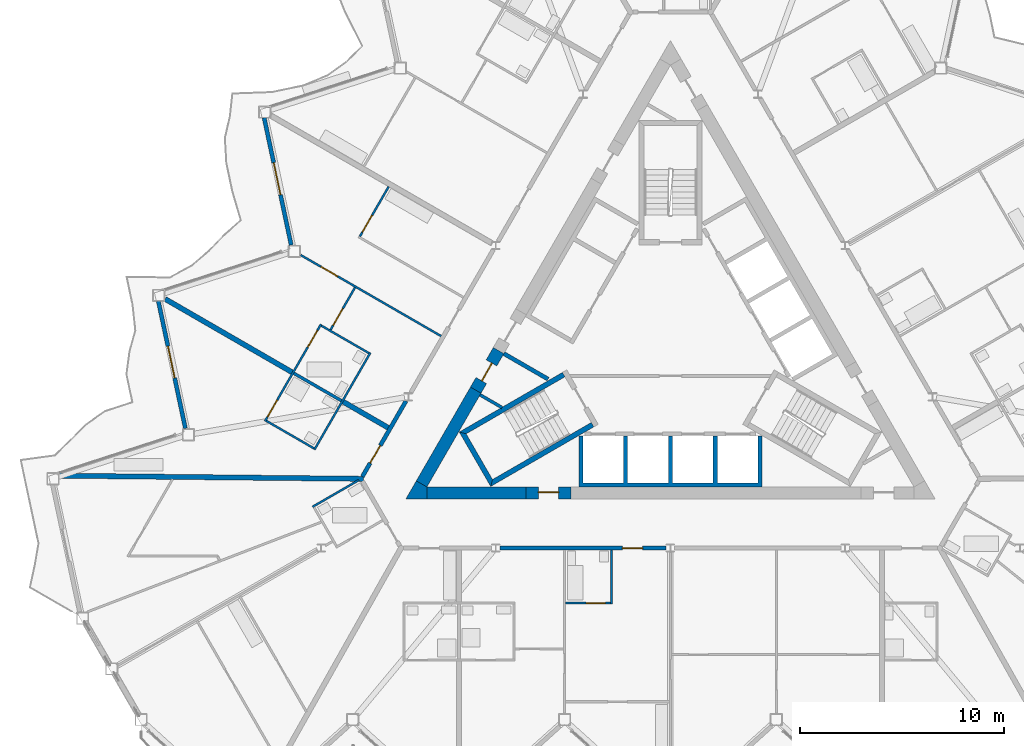
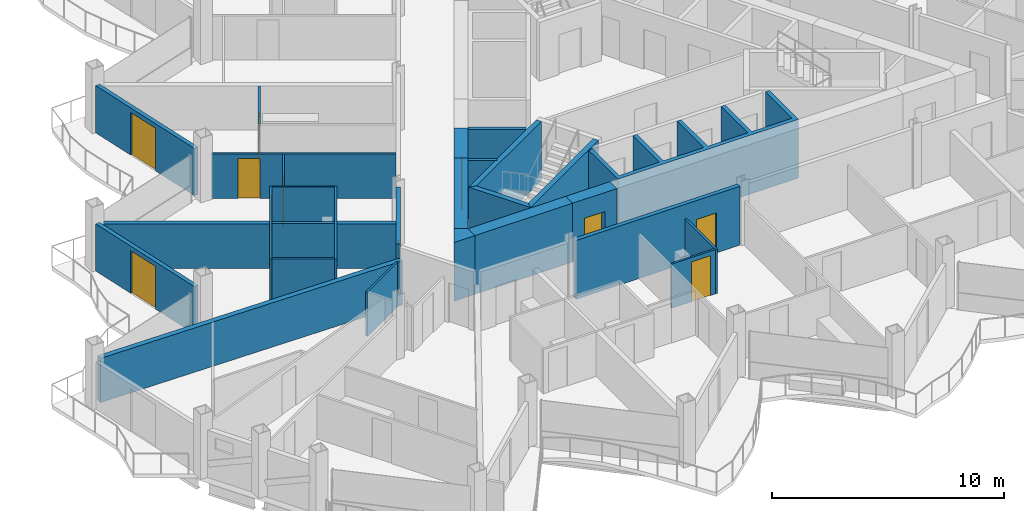
# One storey, part 14 of 27: 29 walls, 12 doors, 12 openings.
"""IFC4 building model written with IfcOpenShell, lengths in metres."""

import ifcopenshell
import ifcopenshell.guid

model = None  # the IFC model being written
_history = None  # IfcOwnerHistory: only IFC2X3 demands one
_inside = {}  # id of a spatial element -> (the spatial element, [elements in it])
_under = {}  # id of a project, library or spatial element -> (it, [spatial elements below it])
_declared = {}  # id of a project -> (the project, [libraries it declares])
_typed = {}  # id of a type object -> (the type object, [elements of that type])
_made_of = {}  # id of a material, layer set ... -> (it, [elements and type objects made of it])


def new_model(schema):
    """Start an empty IFC model of exactly this schema.

    Asked for "IFC4X3", IfcOpenShell would pick the latest addendum, in which some entities
    have other attributes; the version numbers below select the first issue.
    IFC2X3 requires an IfcOwnerHistory on every rooted entity: one is made here for all.
    """
    global model, _history
    if schema == "IFC4X3":
        model = ifcopenshell.file(schema_version=(4, 3, 0, 0))
    else:
        model = ifcopenshell.file(schema=schema)
    _inside.clear()
    _under.clear()
    _declared.clear()
    _typed.clear()
    _made_of.clear()
    _history = None
    if model.schema == "IFC2X3":
        org = make("IfcOrganization", Name="unknown")
        user = make(
            "IfcPersonAndOrganization",
            ThePerson=make("IfcPerson", FamilyName="unknown"),
            TheOrganization=org,
        )
        app = make(
            "IfcApplication",
            ApplicationDeveloper=org,
            Version="unknown",
            ApplicationFullName="unknown",
            ApplicationIdentifier="unknown",
        )
        _history = make(
            "IfcOwnerHistory",
            OwningUser=user,
            OwningApplication=app,
            ChangeAction="ADDED",
            CreationDate=0,
        )
    return model


def make(cls, **values):
    """One entity of the class cls with the attributes given. An attribute that is None is left unset."""
    return model.create_entity(
        cls, **{name: value for name, value in values.items() if value is not None}
    )


def rooted(cls, **values):
    """An entity with a GlobalId (a new one), such as an element, a storey or a relation."""
    return make(cls, GlobalId=ifcopenshell.guid.new(), OwnerHistory=_history, **values)


def si_unit(unit_type, name, prefix=None):
    """IfcSIUnit, for example si_unit("LENGTHUNIT", "METRE", prefix="MILLI")."""
    return make("IfcSIUnit", UnitType=unit_type, Prefix=prefix, Name=name)


def assignment(units):
    """IfcUnitAssignment: the units of a project."""
    return None if units is None else make("IfcUnitAssignment", Units=units)


def point(xyz):
    """IfcCartesianPoint."""
    return None if xyz is None else make("IfcCartesianPoint", Coordinates=xyz)


def direction(xyz):
    """IfcDirection."""
    return None if xyz is None else make("IfcDirection", DirectionRatios=xyz)


def frame(location, z_axis=None, x_axis=None):
    """IfcAxis2Placement3D, a coordinate frame: its origin and axes. An axis left out is left unset."""
    return make(
        "IfcAxis2Placement3D",
        Location=point(location),
        Axis=direction(z_axis),
        RefDirection=direction(x_axis),
    )


def frame_2d(location, x_axis=None):
    """IfcAxis2Placement2D, a coordinate frame in the plane: its origin and x axis."""
    return make(
        "IfcAxis2Placement2D", Location=point(location), RefDirection=direction(x_axis)
    )


def origin():
    """The frame at (0, 0, 0) with its axes left unset."""
    return frame((0.0, 0.0, 0.0))


def place(relative_to, where):
    """IfcLocalPlacement: puts the frame where relative to a parent placement (None: the world)."""
    return make(
        "IfcLocalPlacement", PlacementRelTo=relative_to, RelativePlacement=where
    )


def context(
    kind, dimensions, precision=None, world=None, true_north=None, identifier=None
):
    """IfcGeometricRepresentationContext, for example the 3D "Model" context."""
    return make(
        "IfcGeometricRepresentationContext",
        ContextIdentifier=identifier,
        ContextType=kind,
        CoordinateSpaceDimension=dimensions,
        Precision=precision,
        WorldCoordinateSystem=world,
        TrueNorth=true_north,
    )


def subcontext(parent, identifier, kind, view, scale=None):
    """IfcGeometricRepresentationSubContext, for example "Body" below "Model"."""
    return make(
        "IfcGeometricRepresentationSubContext",
        ContextIdentifier=identifier,
        ContextType=kind,
        ParentContext=parent,
        TargetScale=scale,
        TargetView=view,
    )


def project(units=None, contexts=None):
    """IfcProject with its units and contexts."""
    return rooted(
        "IfcProject",
        Name="project",
        RepresentationContexts=contexts,
        UnitsInContext=assignment(units),
    )


def spatial(cls, under=None, at=None, **own):
    """A site, building, storey or space (cls), placed at a placement, below another one or the project."""
    s = rooted(cls, ObjectPlacement=at, **own)
    if under is not None:
        _under.setdefault(under.id(), (under, []))[1].append(s)
    return s


def polyline(points):
    """IfcPolyline through the points."""
    return make("IfcPolyline", Points=[point(p) for p in points])


def profile(cls, at=None, kind="AREA", **sizes):
    """A parametric profile (cls). Its sizes go by their IFC names, for example OverallWidth=200.0."""
    return make(cls, ProfileType=kind, Position=at, **sizes)


def rectangle(**sizes):
    """IfcRectangleProfileDef."""
    return profile("IfcRectangleProfileDef", **sizes)


def outline(outer, holes=None, kind="AREA"):
    """IfcArbitraryClosedProfileDef: a profile drawn as a closed curve; with holes, ...WithVoids."""
    if holes is None:
        return make("IfcArbitraryClosedProfileDef", ProfileType=kind, OuterCurve=outer)
    return make(
        "IfcArbitraryProfileDefWithVoids",
        ProfileType=kind,
        OuterCurve=outer,
        InnerCurves=holes,
    )


def extrude(swept, where, along, depth):
    """IfcExtrudedAreaSolid: the profile swept, set in the frame where, extruded along a direction by depth."""
    return make(
        "IfcExtrudedAreaSolid",
        SweptArea=swept,
        Position=where,
        ExtrudedDirection=direction(along),
        Depth=depth,
    )


def shape(context_of_items, identifier, shape_type, items):
    """IfcShapeRepresentation: the items that make up one representation, for example the "Body"."""
    return make(
        "IfcShapeRepresentation",
        ContextOfItems=context_of_items,
        RepresentationIdentifier=identifier,
        RepresentationType=shape_type,
        Items=items,
    )


def material(Name=None, Category=None):
    """IfcMaterial."""
    return make("IfcMaterial", Name=Name, Category=Category)


def layer(
    of_material, thickness, ventilated=None, Name=None, Category=None, Priority=None
):
    """IfcMaterialLayer: one layer of a wall or slab, of a material (None: an air gap)."""
    return make(
        "IfcMaterialLayer",
        Material=of_material,
        LayerThickness=thickness,
        IsVentilated=ventilated,
        Name=Name,
        Category=Category,
        Priority=Priority,
    )


def layer_set(layers, Name=None):
    """IfcMaterialLayerSet."""
    return make("IfcMaterialLayerSet", MaterialLayers=layers, LayerSetName=Name)


def made_of(thing, what):
    """Note that an element or type object is made of a material, layer set ...; save() writes the relation."""
    if what is not None:
        _made_of.setdefault(what.id(), (what, []))[1].append(thing)
    return thing


def type_object(cls, material=None, **own):
    """A type object (cls), such as IfcWallType, which elements share."""
    return made_of(rooted(cls, **own), material)


def element(
    cls,
    number,
    at=None,
    inside=None,
    cuts=None,
    type_object=None,
    material=None,
    context=None,
    identifier="Body",
    shape_type=None,
    held_by="IfcProductDefinitionShape",
    body=None,
    shapes=None,
    **own,
):
    """One element of the class cls, such as IfcWall. Its Tag is "e" and its number.

    at: its placement. inside: the storey or other place that contains it. cuts: it is an
    opening in that element (IfcRelVoidsElement). A single representation is given by context,
    identifier, shape_type and body (its items); several are given by shapes. held_by: the class
    of the entity that holds the representations. save() writes the other relations.
    """
    e = rooted(cls, Tag="e%d" % number, ObjectPlacement=at, **own)
    if body is not None:
        shapes = [shape(context, identifier, shape_type, body)]
    if shapes is not None:
        e.Representation = make(held_by, Representations=shapes)
    if inside is not None:
        _inside.setdefault(inside.id(), (inside, []))[1].append(e)
    if cuts is not None:
        rooted(
            "IfcRelVoidsElement", RelatingBuildingElement=cuts, RelatedOpeningElement=e
        )
    if type_object is not None:
        _typed.setdefault(type_object.id(), (type_object, []))[1].append(e)
    return made_of(e, material)


def fill(opening, filler):
    """IfcRelFillsElement: the door or window that sits in an opening."""
    return rooted(
        "IfcRelFillsElement",
        RelatingOpeningElement=opening,
        RelatedBuildingElement=filler,
    )


def aggregate(whole, parts):
    """IfcRelAggregates: a whole, such as a stair, and the parts it consists of."""
    return rooted("IfcRelAggregates", RelatingObject=whole, RelatedObjects=parts)


def save(model, path):
    """Write the relations noted so far, then the file.

    IfcRelAggregates (storeys below a building ...), IfcRelContainedInSpatialStructure (elements
    in a storey), IfcRelDefinesByType, IfcRelAssociatesMaterial and IfcRelDeclares: one each for
    every whole, place, type object, material and project.
    """
    for whole, parts in _under.values():
        aggregate(whole, parts)
    for where, things in _inside.values():
        rooted(
            "IfcRelContainedInSpatialStructure",
            RelatedElements=things,
            RelatingStructure=where,
        )
    for kind, things in _typed.values():
        rooted("IfcRelDefinesByType", RelatedObjects=things, RelatingType=kind)
    for what, things in _made_of.values():
        rooted("IfcRelAssociatesMaterial", RelatedObjects=things, RelatingMaterial=what)
    for by, libraries in _declared.values():
        rooted("IfcRelDeclares", RelatingContext=by, RelatedDefinitions=libraries)
    model.write(path)


model = new_model("IFC4")

# Units and contexts
model_context = context("Model", 3, precision=1e-05, world=origin(), true_north=direction((0.0, 1.0)))
body_context = subcontext(model_context, "Body", "Model", "MODEL_VIEW")
ifc_project = project(units=[si_unit("LENGTHUNIT", "METRE"), si_unit("AREAUNIT", "SQUARE_METRE"), si_unit("VOLUMEUNIT", "CUBIC_METRE"), si_unit("PLANEANGLEUNIT", "RADIAN"), si_unit("MASSUNIT", "GRAM", prefix="KILO")], contexts=[model_context])

# Site, building, storey
site_placement = place(None, origin())
site = spatial("IfcSite", under=ifc_project, at=site_placement, CompositionType="ELEMENT")
building_placement = place(site_placement, origin())
building = spatial("IfcBuilding", under=site, at=building_placement, Name="Cormorant Prow Tower", CompositionType="ELEMENT")
storey_placement = place(building_placement, frame((0.0, 0.0, 335.800048828125)))
storey = spatial("IfcBuildingStorey", under=building, at=storey_placement, Name="L75", CompositionType="ELEMENT", Elevation=335.800048828125)

# Walls
ifc_material_1 = material(Name="Gypsum board partition")
ifc_layer_1 = layer(ifc_material_1, 0.14990234375)
ifc_layer_set_1 = layer_set([ifc_layer_1], Name="Gypsum board partition")
wall_type_1 = type_object("IfcWallType", Name="Core partition 150", PredefinedType="PARTITIONING", material=ifc_layer_set_1)
wall_1_placement = place(storey_placement, frame((-9.349609375, -2.3828125, 0.0), z_axis=(0.0, 0.0, 1.0), x_axis=(0.866057962423, -0.499943602543, 0.0)))
element("IfcWall", 1, at=wall_1_placement, inside=storey, type_object=wall_type_1, Name="Service room partition", PredefinedType="PARTITIONING", context=body_context, shape_type="SweptSolid", body=[
    extrude(rectangle(XDim=1.242431640625, YDim=0.14990234375, at=frame_2d((0.62109375, 0.0))), origin(), (0.0, 0.0, 1.0), 3.099853515625),
])
ifc_material_2 = material(Name="Concrete 8000 psi", Category="concrete")
ifc_layer_2 = layer(ifc_material_2, 0.60009765625)
ifc_layer_set_2 = layer_set([ifc_layer_2], Name="Concrete 8000 psi")
wall_type_2 = type_object("IfcWallType", Name="Core shear wall 600", PredefinedType="SHEAR", material=ifc_layer_set_2)
wall_2_placement = place(storey_placement, frame((-11.960693359375, -7.20556640625, 0.0), z_axis=(0.0, 0.0, 1.0), x_axis=(1.0, 0.0, 0.0)))
element("IfcWall", 2, at=wall_2_placement, inside=storey, type_object=wall_type_2, Name="Core wall", PredefinedType="SHEAR", context=body_context, shape_type="SweptSolid", body=[
    extrude(rectangle(XDim=4.868408203125, YDim=0.60009765625, at=frame_2d((2.43408203125, 0.0))), origin(), (0.0, 0.0, 1.0), 3.099853515625),
])
wall_3_placement = place(storey_placement, frame((-9.561767578125, -2.150390625, 0.0), z_axis=(0.0, 0.0, 1.0), x_axis=(-0.500015214976, -0.866016619236, 0.0)))
element("IfcWall", 3, at=wall_3_placement, inside=storey, type_object=wall_type_2, Name="Core wall", PredefinedType="SHEAR", context=body_context, shape_type="SweptSolid", body=[
    extrude(rectangle(XDim=5.317626953125, YDim=0.60009765625, at=frame_2d((2.65869140625, 0.0))), origin(), (0.0, 0.0, 1.0), 3.099853515625),
])
wall_4_placement = place(storey_placement, origin())
element("IfcWall", 4, at=wall_4_placement, inside=storey, type_object=wall_type_2, Name="Core wall corner", PredefinedType="SHEAR", context=body_context, shape_type="SweptSolid", body=[
    extrude(outline(polyline([(-12.48046875, -6.605712890625), (-11.960693359375, -6.905517578125), (-11.960693359375, -7.505615234375), (-13.0, -7.505615234375), (-12.48046875, -6.605712890625)])), origin(), (0.0, 0.0, 1.0), 3.099853515625),
])

# Wall, opening, door
wall_5_placement = place(storey_placement, frame((-7.09228515625, -7.20556640625, 0.0), z_axis=(0.0, 0.0, 1.0), x_axis=(1.0, 0.0, 0.0)))
wall_5 = element("IfcWall", 5, at=wall_5_placement, inside=storey, type_object=wall_type_2, Name="Core wall door panel", PredefinedType="SHEAR", context=body_context, shape_type="SweptSolid", body=[
    extrude(rectangle(XDim=2.2001953125, YDim=0.60009765625, at=frame_2d((1.10009765625, 0.0))), origin(), (0.0, 0.0, 1.0), 3.099853515625),
])
opening_1_placement = place(wall_5_placement, frame((0.60009765625, 0.0, 0.0)))
opening_1 = element("IfcOpeningElement", 6, at=opening_1_placement, cuts=wall_5, Name="Opening L75-C16", PredefinedType="OPENING", context=body_context, shape_type="SweptSolid", body=[
    extrude(rectangle(XDim=1.0, YDim=2.10009765625, at=frame_2d((0.5, 1.050048828125))), frame((0.0, 0.31005859375, 0.0), z_axis=(0.0, -1.0, 0.0), x_axis=(1.0, 0.0, 0.0)), (0.0, 0.0, 1.0), 0.6201171875),
])
ifc_material_3 = material(Name="Painted steel", Category="steel")
door_type_1 = type_object("IfcDoorType", Name="Service door 1000x2100", OperationType="NOTDEFINED", PredefinedType="DOOR", material=ifc_material_3)
door_1_placement = place(opening_1_placement, origin())
door_1 = element("IfcDoor", 7, at=door_1_placement, inside=storey, type_object=door_type_1, Name="Core door, Pantry store", OperationType="SINGLE_SWING_LEFT", OverallHeight=2.10009765625, OverallWidth=1.0, PredefinedType="DOOR", context=body_context, shape_type="SweptSolid", body=[
    extrude(rectangle(XDim=1.0, YDim=2.10009765625, at=frame_2d((0.5, 1.050048828125))), frame((0.0, 0.05517578125, 0.0), z_axis=(0.0, -1.0, 0.0), x_axis=(1.0, 0.0, 0.0)), (0.0, 0.0, 1.0), 0.050048828125),
])
fill(opening_1, door_1)

wall_6_placement = place(storey_placement, frame((-8.440185546875, -0.207763671875, 0.0), z_axis=(0.0, 0.0, 1.0), x_axis=(-0.500001951578, -0.866024277037, 0.0)))
wall_6 = element("IfcWall", 8, at=wall_6_placement, inside=storey, type_object=wall_type_2, Name="Core wall door panel", PredefinedType="SHEAR", context=body_context, shape_type="SweptSolid", body=[
    extrude(rectangle(XDim=2.2431640625, YDim=0.60009765625, at=frame_2d((1.12158203125, 0.0))), origin(), (0.0, 0.0, 1.0), 3.099853515625),
])
opening_2_placement = place(wall_6_placement, frame((0.699951171875, 0.0, 0.0)))
opening_2 = element("IfcOpeningElement", 9, at=opening_2_placement, cuts=wall_6, Name="Opening L75-C18", PredefinedType="OPENING", context=body_context, shape_type="SweptSolid", body=[
    extrude(rectangle(XDim=1.0, YDim=2.10009765625, at=frame_2d((0.5, 1.050048828125))), frame((0.0, 0.31005859375, 0.0), z_axis=(0.0, -1.0, 0.0), x_axis=(1.0, 0.0, 0.0)), (0.0, 0.0, 1.0), 0.6201171875),
])
door_2_placement = place(opening_2_placement, origin())
door_2 = element("IfcDoor", 10, at=door_2_placement, inside=storey, type_object=door_type_1, Name="Core door, Mechanical riser room", OperationType="SINGLE_SWING_LEFT", OverallHeight=2.10009765625, OverallWidth=1.0, PredefinedType="DOOR", context=body_context, shape_type="SweptSolid", body=[
    extrude(rectangle(XDim=1.0, YDim=2.10009765625, at=frame_2d((0.5, 1.050048828125))), frame((0.0, 0.05517578125, 0.0), z_axis=(0.0, -1.0, 0.0), x_axis=(1.0, 0.0, 0.0)), (0.0, 0.0, 1.0), 0.050048828125),
])
fill(opening_2, door_2)

ifc_material_4 = material(Name="Gypsum board corridor wall")
ifc_layer_3 = layer(ifc_material_4, 0.199951171875)
ifc_layer_set_3 = layer_set([ifc_layer_3], Name="Gypsum board corridor wall")
wall_type_3 = type_object("IfcWallType", Name="Corridor wall 200", PredefinedType="PARTITIONING", material=ifc_layer_set_3)
wall_7_placement = place(storey_placement, frame((-8.370849609375, -9.905517578125, 0.0), z_axis=(0.0, 0.0, 1.0), x_axis=(1.0, 0.0, 0.0)))
wall_7 = element("IfcWall", 11, at=wall_7_placement, inside=storey, type_object=wall_type_3, Name="Corridor wall", PredefinedType="PARTITIONING", context=body_context, shape_type="SweptSolid", body=[
    extrude(rectangle(XDim=8.1630859375, YDim=0.199951171875, at=frame_2d((4.08154296875, 0.0))), origin(), (0.0, 0.0, 1.0), 3.099853515625),
])
opening_3_placement = place(wall_7_placement, frame((6.00439453125, 0.0, 0.0)))
opening_3 = element("IfcOpeningElement", 12, at=opening_3_placement, cuts=wall_7, Name="Opening L75-F03", PredefinedType="OPENING", context=body_context, shape_type="SweptSolid", body=[
    extrude(rectangle(XDim=1.0, YDim=2.10009765625, at=frame_2d((0.5, 1.050048828125))), frame((0.0, 0.10986328125, 0.0), z_axis=(0.0, -1.0, 0.0), x_axis=(1.0, 0.0, 0.0)), (0.0, 0.0, 1.0), 0.219970703125),
])
ifc_material_5 = material(Name="Timber door leaf", Category="wood")
door_type_2 = type_object("IfcDoorType", Name="Flat or room entrance door 1000x2100", OperationType="NOTDEFINED", PredefinedType="DOOR", material=ifc_material_5)
door_3_placement = place(opening_3_placement, origin())
door_3 = element("IfcDoor", 13, at=door_3_placement, inside=storey, type_object=door_type_2, Name="Living room door", OperationType="SINGLE_SWING_LEFT", OverallHeight=2.10009765625, OverallWidth=1.0, PredefinedType="DOOR", context=body_context, shape_type="SweptSolid", body=[
    extrude(rectangle(XDim=1.0, YDim=2.10009765625, at=frame_2d((0.5, 1.050048828125))), frame((0.0, 0.02490234375, 0.0), z_axis=(0.0, -1.0, 0.0), x_axis=(1.0, 0.0, 0.0)), (0.0, 0.0, 1.0), 0.050048828125),
])
fill(opening_3, door_3)

wall_8_placement = place(storey_placement, frame((-15.13134765625, -6.397216796875, 0.0), z_axis=(0.0, 0.0, 1.0), x_axis=(0.500003406062, 0.866023437285, 0.0)))
wall_8 = element("IfcWall", 14, at=wall_8_placement, inside=storey, type_object=wall_type_3, Name="Corridor wall", PredefinedType="PARTITIONING", context=body_context, shape_type="SweptSolid", body=[
    extrude(rectangle(XDim=4.28759765625, YDim=0.199951171875, at=frame_2d((2.143798828125, 0.0))), origin(), (0.0, 0.0, 1.0), 3.099853515625),
])
opening_4_placement = place(wall_8_placement, frame((0.76611328125, 0.0, 0.0)))
opening_4 = element("IfcOpeningElement", 15, at=opening_4_placement, cuts=wall_8, Name="Opening L75-F56", PredefinedType="OPENING", context=body_context, shape_type="SweptSolid", body=[
    extrude(rectangle(XDim=1.0, YDim=2.10009765625, at=frame_2d((0.5, 1.050048828125))), frame((0.0, 0.10986328125, 0.0), z_axis=(0.0, -1.0, 0.0), x_axis=(1.0, 0.0, 0.0)), (0.0, 0.0, 1.0), 0.219970703125),
])
door_4_placement = place(opening_4_placement, origin())
door_4 = element("IfcDoor", 16, at=door_4_placement, inside=storey, type_object=door_type_2, Name="Studio living, kitchen and sleeping room door", OperationType="SINGLE_SWING_LEFT", OverallHeight=2.10009765625, OverallWidth=1.0, PredefinedType="DOOR", context=body_context, shape_type="SweptSolid", body=[
    extrude(rectangle(XDim=1.0, YDim=2.10009765625, at=frame_2d((0.5, 1.050048828125))), frame((0.0, 0.02490234375, 0.0), z_axis=(0.0, -1.0, 0.0), x_axis=(1.0, 0.0, 0.0)), (0.0, 0.0, 1.0), 0.050048828125),
])
fill(opening_4, door_4)

ifc_material_6 = material(Name="Gypsum board partition")
ifc_layer_4 = layer(ifc_material_6, 0.10009765625)
ifc_layer_set_4 = layer_set([ifc_layer_4], Name="Gypsum board partition")
wall_type_4 = type_object("IfcWallType", Name="Internal partition 100", PredefinedType="PARTITIONING", material=ifc_layer_set_4)
wall_9_placement = place(storey_placement, frame((-18.160888671875, 4.485107421875, 0.0), z_axis=(0.0, 0.0, 1.0), x_axis=(0.866023773276, -0.500002824113, 0.0)))
wall_9 = element("IfcWall", 17, at=wall_9_placement, inside=storey, type_object=wall_type_4, Name="Internal partition", PredefinedType="PARTITIONING", context=body_context, shape_type="SweptSolid", body=[
    extrude(rectangle(XDim=7.96484375, YDim=0.10009765625, at=frame_2d((3.982421875, 0.0))), origin(), (0.0, 0.0, 1.0), 2.330078125),
])
opening_5_placement = place(wall_9_placement, frame((1.152099609375, 0.0, 0.0)))
opening_5 = element("IfcOpeningElement", 18, at=opening_5_placement, cuts=wall_9, Name="Opening L75-F53", PredefinedType="OPENING", context=body_context, shape_type="SweptSolid", body=[
    extrude(rectangle(XDim=0.949951171875, YDim=2.10009765625, at=frame_2d((0.47509765625, 1.050048828125))), frame((0.0, 0.06005859375, 0.0), z_axis=(0.0, -1.0, 0.0), x_axis=(1.0, 0.0, 0.0)), (0.0, 0.0, 1.0), 0.1201171875),
])
ifc_material_7 = material(Name="Timber door leaf", Category="wood")
door_type_3 = type_object("IfcDoorType", Name="Bathroom door 950x2100", OperationType="NOTDEFINED", PredefinedType="DOOR", material=ifc_material_7)
door_5_placement = place(opening_5_placement, origin())
door_5 = element("IfcDoor", 19, at=door_5_placement, inside=storey, type_object=door_type_3, Name="Living room door", OperationType="SINGLE_SWING_RIGHT", OverallHeight=2.10009765625, OverallWidth=0.949951171875, PredefinedType="DOOR", context=body_context, shape_type="SweptSolid", body=[
    extrude(rectangle(XDim=0.949951171875, YDim=2.10009765625, at=frame_2d((0.47509765625, 1.050048828125))), frame((0.0, 0.02490234375, 0.0), z_axis=(0.0, -1.0, 0.0), x_axis=(1.0, 0.0, 0.0)), (0.0, 0.0, 1.0), 0.050048828125),
])
fill(opening_5, door_5)

# Wall
wall_10_placement = place(storey_placement, frame((-17.488037109375, -5.0791015625, 0.0), z_axis=(0.0, 0.0, 1.0), x_axis=(0.499996545922, 0.866027397988, 0.0)))
element("IfcWall", 20, at=wall_10_placement, inside=storey, type_object=wall_type_4, Name="Internal partition", PredefinedType="PARTITIONING", context=body_context, shape_type="SweptSolid", body=[
    extrude(rectangle(XDim=5.5, YDim=0.10009765625, at=frame_2d((2.75, 0.0))), origin(), (0.0, 0.0, 1.0), 2.330078125),
])

# Wall, openings, doors
wall_11_placement = place(storey_placement, frame((-19.912841796875, -3.678955078125, 0.0), z_axis=(0.0, 0.0, 1.0), x_axis=(0.500015767406, 0.866016300277, 0.0)))
wall_11 = element("IfcWall", 21, at=wall_11_placement, inside=storey, type_object=wall_type_4, Name="Internal partition", PredefinedType="PARTITIONING", context=body_context, shape_type="SweptSolid", body=[
    extrude(rectangle(XDim=5.499755859375, YDim=0.10009765625, at=frame_2d((2.75, 0.0))), origin(), (0.0, 0.0, 1.0), 2.330078125),
])
opening_6_placement = place(wall_11_placement, frame((4.19873046875, 0.0, 0.0)))
opening_6 = element("IfcOpeningElement", 22, at=opening_6_placement, cuts=wall_11, Name="Opening L75-F55", PredefinedType="OPENING", context=body_context, shape_type="SweptSolid", body=[
    extrude(rectangle(XDim=0.949951171875, YDim=2.10009765625, at=frame_2d((0.47509765625, 1.050048828125))), frame((0.0, 0.06005859375, 0.0), z_axis=(0.0, -1.0, 0.0), x_axis=(1.0, 0.0, 0.0)), (0.0, 0.0, 1.0), 0.1201171875),
])
opening_7_placement = place(wall_11_placement, frame((0.25, 0.0, 0.0)))
opening_7 = element("IfcOpeningElement", 23, at=opening_7_placement, cuts=wall_11, Name="Opening L75-F57", PredefinedType="OPENING", context=body_context, shape_type="SweptSolid", body=[
    extrude(rectangle(XDim=0.949951171875, YDim=2.10009765625, at=frame_2d((0.47509765625, 1.050048828125))), frame((0.0, 0.06005859375, 0.0), z_axis=(0.0, -1.0, 0.0), x_axis=(1.0, 0.0, 0.0)), (0.0, 0.0, 1.0), 0.1201171875),
])
door_6_placement = place(opening_6_placement, origin())
door_6 = element("IfcDoor", 24, at=door_6_placement, inside=storey, type_object=door_type_3, Name="Bedroom door", OperationType="SINGLE_SWING_RIGHT", OverallHeight=2.10009765625, OverallWidth=0.949951171875, PredefinedType="DOOR", context=body_context, shape_type="SweptSolid", body=[
    extrude(rectangle(XDim=0.949951171875, YDim=2.10009765625, at=frame_2d((0.47509765625, 1.050048828125))), frame((0.0, 0.02490234375, 0.0), z_axis=(0.0, -1.0, 0.0), x_axis=(1.0, 0.0, 0.0)), (0.0, 0.0, 1.0), 0.050048828125),
])
fill(opening_6, door_6)
door_7_placement = place(opening_7_placement, origin())
door_7 = element("IfcDoor", 25, at=door_7_placement, inside=storey, type_object=door_type_3, Name="Studio living, kitchen and sleeping room door", OperationType="SINGLE_SWING_LEFT", OverallHeight=2.10009765625, OverallWidth=0.949951171875, PredefinedType="DOOR", context=body_context, shape_type="SweptSolid", body=[
    extrude(rectangle(XDim=0.949951171875, YDim=2.10009765625, at=frame_2d((0.47509765625, 1.050048828125))), frame((0.0, 0.02490234375, 0.0), z_axis=(0.0, -1.0, 0.0), x_axis=(1.0, 0.0, 0.0)), (0.0, 0.0, 1.0), 0.050048828125),
])
fill(opening_7, door_7)

# Wall, opening, door
wall_12_placement = place(storey_placement, frame((-15.24951171875, 5.39794921875, 0.0), z_axis=(0.0, 0.0, 1.0), x_axis=(0.499959355765, 0.866048868473, 0.0)))
wall_12 = element("IfcWall", 26, at=wall_12_placement, inside=storey, type_object=wall_type_4, Name="Internal partition", PredefinedType="PARTITIONING", context=body_context, shape_type="SweptSolid", body=[
    extrude(rectangle(XDim=2.824951171875, YDim=0.10009765625, at=frame_2d((1.41259765625, 0.0))), origin(), (0.0, 0.0, 1.0), 2.330078125),
])
opening_8_placement = place(wall_12_placement, frame((0.25, 0.0, 0.0)))
opening_8 = element("IfcOpeningElement", 27, at=opening_8_placement, cuts=wall_12, Name="Opening L75-F52", PredefinedType="OPENING", context=body_context, shape_type="SweptSolid", body=[
    extrude(rectangle(XDim=0.949951171875, YDim=2.10009765625, at=frame_2d((0.47509765625, 1.050048828125))), frame((0.0, 0.06005859375, 0.0), z_axis=(0.0, -1.0, 0.0), x_axis=(1.0, 0.0, 0.0)), (0.0, 0.0, 1.0), 0.1201171875),
])
door_8_placement = place(opening_8_placement, origin())
door_8 = element("IfcDoor", 28, at=door_8_placement, inside=storey, type_object=door_type_3, Name="Living room door", OperationType="SINGLE_SWING_LEFT", OverallHeight=2.10009765625, OverallWidth=0.949951171875, PredefinedType="DOOR", context=body_context, shape_type="SweptSolid", body=[
    extrude(rectangle(XDim=0.949951171875, YDim=2.10009765625, at=frame_2d((0.47509765625, 1.050048828125))), frame((0.0, 0.02490234375, 0.0), z_axis=(0.0, -1.0, 0.0), x_axis=(1.0, 0.0, 0.0)), (0.0, 0.0, 1.0), 0.050048828125),
])
fill(opening_8, door_8)

# Walls
for number, where, z_axis, x_axis, name in (
    (29, (-19.844482421875, -3.66064453125, 0.0), (0.0, 0.0, 1.0), (0.86599734893, -0.500048589285, 0.0), "Internal partition"),
    (30, (-17.14453125, 1.015869140625, 0.0), (0.0, 0.0, 1.0), (0.86599734893, -0.500048589285, 0.0), "Internal partition"),
):
    element("IfcWall", number, at=place(storey_placement, frame(where, z_axis=z_axis, x_axis=x_axis)), inside=storey, type_object=wall_type_4, Name=name, PredefinedType="PARTITIONING", context=body_context, shape_type="SweptSolid", body=[
        extrude(rectangle(XDim=2.699951171875, YDim=0.10009765625, at=frame_2d((1.35009765625, 0.0))), origin(), (0.0, 0.0, 1.0), 2.330078125),
    ])
wall_13_placement = place(storey_placement, frame((-2.896240234375, -12.655517578125, 0.0), z_axis=(0.0, 0.0, 1.0), x_axis=(0.0, 1.0, 0.0)))
element("IfcWall", 31, at=wall_13_placement, inside=storey, type_object=wall_type_4, Name="Internal partition", PredefinedType="PARTITIONING", context=body_context, shape_type="SweptSolid", body=[
    extrude(rectangle(XDim=2.64990234375, YDim=0.10009765625, at=frame_2d((1.324951171875, 0.0))), origin(), (0.0, 0.0, 1.0), 2.330078125),
])
wall_14_placement = place(storey_placement, frame((-17.575439453125, -7.880615234375, 0.0), z_axis=(0.0, 0.0, 1.0), x_axis=(0.866036909293, 0.499980071345, 0.0)))
element("IfcWall", 32, at=wall_14_placement, inside=storey, type_object=wall_type_4, Name="Internal partition", PredefinedType="PARTITIONING", context=body_context, shape_type="SweptSolid", body=[
    extrude(rectangle(XDim=2.625, YDim=0.10009765625, at=frame_2d((1.3125, 0.0))), origin(), (0.0, 0.0, 1.0), 2.330078125),
])

# Wall, opening, door
wall_15_placement = place(storey_placement, frame((-16.69091796875, 0.811767578125, 0.0), z_axis=(0.0, 0.0, 1.0), x_axis=(0.499963527173, 0.866046460357, 0.0)))
wall_15 = element("IfcWall", 33, at=wall_15_placement, inside=storey, type_object=wall_type_4, Name="Internal partition", PredefinedType="PARTITIONING", context=body_context, shape_type="SweptSolid", body=[
    extrude(rectangle(XDim=2.396240234375, YDim=0.10009765625, at=frame_2d((1.1982421875, 0.0))), origin(), (0.0, 0.0, 1.0), 2.330078125),
])
opening_9_placement = place(wall_15_placement, frame((0.25, 0.0, 0.0)))
opening_9 = element("IfcOpeningElement", 34, at=opening_9_placement, cuts=wall_15, Name="Opening L75-F54", PredefinedType="OPENING", context=body_context, shape_type="SweptSolid", body=[
    extrude(rectangle(XDim=0.949951171875, YDim=2.10009765625, at=frame_2d((0.47509765625, 1.050048828125))), frame((0.0, 0.06005859375, 0.0), z_axis=(0.0, -1.0, 0.0), x_axis=(1.0, 0.0, 0.0)), (0.0, 0.0, 1.0), 0.1201171875),
])
door_9_placement = place(opening_9_placement, origin())
door_9 = element("IfcDoor", 35, at=door_9_placement, inside=storey, type_object=door_type_3, Name="Bedroom door", OperationType="SINGLE_SWING_LEFT", OverallHeight=2.10009765625, OverallWidth=0.949951171875, PredefinedType="DOOR", context=body_context, shape_type="SweptSolid", body=[
    extrude(rectangle(XDim=0.949951171875, YDim=2.10009765625, at=frame_2d((0.47509765625, 1.050048828125))), frame((0.0, 0.02490234375, 0.0), z_axis=(0.0, -1.0, 0.0), x_axis=(1.0, 0.0, 0.0)), (0.0, 0.0, 1.0), 0.050048828125),
])
fill(opening_9, door_9)

wall_16_placement = place(storey_placement, frame((-5.146240234375, -12.605712890625, 0.0), z_axis=(0.0, 0.0, 1.0), x_axis=(1.0, 0.0, 0.0)))
wall_16 = element("IfcWall", 36, at=wall_16_placement, inside=storey, type_object=wall_type_4, Name="Internal partition", PredefinedType="PARTITIONING", context=body_context, shape_type="SweptSolid", body=[
    extrude(rectangle(XDim=2.199951171875, YDim=0.10009765625, at=frame_2d((1.10009765625, 0.0))), origin(), (0.0, 0.0, 1.0), 2.330078125),
])
opening_10_placement = place(wall_16_placement, frame((1.0, 0.0, 0.0)))
opening_10 = element("IfcOpeningElement", 37, at=opening_10_placement, cuts=wall_16, Name="Opening L75-F04", PredefinedType="OPENING", context=body_context, shape_type="SweptSolid", body=[
    extrude(rectangle(XDim=0.949951171875, YDim=2.10009765625, at=frame_2d((0.47509765625, 1.050048828125))), frame((0.0, 0.06005859375, 0.0), z_axis=(0.0, -1.0, 0.0), x_axis=(1.0, 0.0, 0.0)), (0.0, 0.0, 1.0), 0.1201171875),
])
door_10_placement = place(opening_10_placement, origin())
door_10 = element("IfcDoor", 38, at=door_10_placement, inside=storey, type_object=door_type_3, Name="Living room door", OperationType="SINGLE_SWING_RIGHT", OverallHeight=2.10009765625, OverallWidth=0.949951171875, PredefinedType="DOOR", context=body_context, shape_type="SweptSolid", body=[
    extrude(rectangle(XDim=0.949951171875, YDim=2.10009765625, at=frame_2d((0.47509765625, 1.050048828125))), frame((0.0, 0.02490234375, 0.0), z_axis=(0.0, -1.0, 0.0), x_axis=(1.0, 0.0, 0.0)), (0.0, 0.0, 1.0), 0.050048828125),
])
fill(opening_10, door_10)

# Walls
ifc_material_8 = material(Name="Concrete 8000 psi", Category="concrete")
ifc_layer_5 = layer(ifc_material_8, 0.199951171875)
ifc_layer_set_5 = layer_set([ifc_layer_5], Name="Concrete 8000 psi")
wall_type_5 = type_object("IfcWallType", Name="Lift shaft wall 200", PredefinedType="SHEAR", material=ifc_layer_set_5)
wall_17_placement = place(storey_placement, origin())
element("IfcWall", 39, at=wall_17_placement, inside=storey, type_object=wall_type_5, Name="Lift shaft walls, S block", PredefinedType="SHEAR", context=body_context, shape_type="SweptSolid", body=[
    extrude(outline(polyline([(4.5, -4.39990234375), (4.5, -6.906005859375), (-4.5, -6.906005859375), (-4.5, -4.39990234375), (-4.300048828125, -4.39990234375), (-4.300048828125, -6.699951171875), (-2.300048828125, -6.699951171875), (-2.300048828125, -4.39990234375), (-2.10009765625, -4.39990234375), (-2.10009765625, -6.699951171875), (-0.10009765625, -6.699951171875), (-0.10009765625, -4.39990234375), (0.10009765625, -4.39990234375), (0.10009765625, -6.699951171875), (2.10009765625, -6.699951171875), (2.10009765625, -4.39990234375), (2.300048828125, -4.39990234375), (2.300048828125, -6.699951171875), (4.300048828125, -6.699951171875), (4.300048828125, -4.39990234375), (4.5, -4.39990234375)])), origin(), (0.0, 0.0, 1.0), 3.099853515625),
])
wall_18_placement = place(storey_placement, origin())
element("IfcWall", 40, at=wall_18_placement, inside=storey, type_object=wall_type_5, Name="Lift shaft walls, WNW block", PredefinedType="SHEAR", context=body_context, shape_type="SweptSolid", body=[
    extrude(outline(polyline([(-6.060546875, -1.697021484375), (-8.230712890625, -0.444091796875), (-8.130859375, -0.27099609375), (-5.96044921875, -1.52392578125), (-6.060546875, -1.697021484375)])), origin(), (0.0, 0.0, 1.0), 3.099853515625),
])
ifc_material_9 = material(Name="Concrete 8000 psi", Category="concrete")
ifc_layer_6 = layer(ifc_material_9, 0.25)
ifc_layer_set_6 = layer_set([ifc_layer_6], Name="Concrete 8000 psi")
wall_type_6 = type_object("IfcWallType", Name="Stair wall 250", PredefinedType="SHEAR", material=ifc_layer_set_6)
wall_19_placement = place(storey_placement, origin())
element("IfcWall", 41, at=wall_19_placement, inside=storey, type_object=wall_type_6, Name="Stair ST1 enclosure wall (flank)", PredefinedType="SHEAR", context=body_context, shape_type="SweptSolid", body=[
    extrude(outline(polyline([(-5.30712890625, -1.28125), (-10.37353515625, -4.206298828125), (-10.031982421875, -4.2978515625), (-5.18212890625, -1.497802734375), (-5.30712890625, -1.28125)])), origin(), (0.0, 0.0, 1.0), 3.099853515625),
])
wall_20_placement = place(storey_placement, origin())
element("IfcWall", 42, at=wall_20_placement, inside=storey, type_object=wall_type_6, Name="Stair ST1 enclosure wall (end)", PredefinedType="SHEAR", context=body_context, shape_type="SweptSolid", body=[
    extrude(outline(polyline([(-10.37353515625, -4.206298828125), (-8.82958984375, -6.880615234375), (-8.738037109375, -6.5390625), (-10.031982421875, -4.2978515625), (-10.37353515625, -4.206298828125)])), origin(), (0.0, 0.0, 1.0), 3.099853515625),
])
wall_21_placement = place(storey_placement, origin())
element("IfcWall", 43, at=wall_21_placement, inside=storey, type_object=wall_type_6, Name="Stair ST1 enclosure wall (flank)", PredefinedType="SHEAR", context=body_context, shape_type="SweptSolid", body=[
    extrude(outline(polyline([(-8.738037109375, -6.5390625), (-8.82958984375, -6.880615234375), (-3.76318359375, -3.95556640625), (-3.88818359375, -3.739013671875), (-8.738037109375, -6.5390625)])), origin(), (0.0, 0.0, 1.0), 3.099853515625),
])
ifc_material_10 = material(Name="Acoustic gypsum party wall")
ifc_layer_7 = layer(ifc_material_10, 0.25)
ifc_layer_set_7 = layer_set([ifc_layer_7], Name="Acoustic gypsum party wall")
wall_type_7 = type_object("IfcWallType", Name="Suite party wall 250", PredefinedType="PARTITIONING", material=ifc_layer_set_7)
wall_22_placement = place(storey_placement, frame((-30.013671875, -6.352783203125, 0.0), z_axis=(0.0, 0.0, 1.0), x_axis=(0.999946875776, -0.010307551845, 0.0)))
element("IfcWall", 44, at=wall_22_placement, inside=storey, type_object=wall_type_7, Name="Suite party wall", PredefinedType="PARTITIONING", context=body_context, shape_type="SweptSolid", body=[
    extrude(rectangle(XDim=14.945556640625, YDim=0.25, at=frame_2d((7.47265625, 0.0))), origin(), (0.0, 0.0, 1.0), 2.330078125),
])
wall_23_placement = place(storey_placement, frame((-24.814697265625, 2.326416015625, 0.0), z_axis=(0.0, 0.0, 1.0), x_axis=(0.866024038922, -0.500002364004, 0.0)))
element("IfcWall", 45, at=wall_23_placement, inside=storey, type_object=wall_type_7, Name="Suite party wall", PredefinedType="PARTITIONING", context=body_context, shape_type="SweptSolid", body=[
    extrude(rectangle(XDim=7.19775390625, YDim=0.25, at=frame_2d((3.598876953125, 0.0))), origin(), (0.0, 0.0, 1.0), 2.330078125),
])
wall_24_placement = place(storey_placement, frame((-16.069580078125, -2.722412109375, 0.0), z_axis=(0.0, 0.0, 1.0), x_axis=(0.866030925526, -0.499990435942, 0.0)))
element("IfcWall", 46, at=wall_24_placement, inside=storey, type_object=wall_type_7, Name="Suite party wall", PredefinedType="PARTITIONING", context=body_context, shape_type="SweptSolid", body=[
    extrude(rectangle(XDim=2.5498046875, YDim=0.25, at=frame_2d((1.27490234375, 0.0))), origin(), (0.0, 0.0, 1.0), 2.330078125),
])

# Wall, opening, door
ifc_material_11 = material(Name="Terracotta", Category="masonry")
ifc_layer_8 = layer(ifc_material_11, 0.199951171875)
ifc_layer_set_8 = layer_set([ifc_layer_8], Name="Terracotta")
wall_type_8 = type_object("IfcWallType", Name="Terracotta jamb wall 200", PredefinedType="SOLIDWALL", material=ifc_layer_set_8)
wall_25_placement = place(storey_placement, frame((-19.95263671875, 11.224609375, 0.0), z_axis=(0.0, 0.0, 1.0), x_axis=(0.207915447, -0.978146802325, 0.0)))
wall_25 = element("IfcWall", 47, at=wall_25_placement, inside=storey, type_object=wall_type_8, Name="Terracotta jamb wall WNW05", PredefinedType="SOLIDWALL", context=body_context, shape_type="SweptSolid", body=[
    extrude(rectangle(XDim=6.38671875, YDim=0.199951171875, at=frame_2d((3.193359375, 0.0))), origin(), (0.0, 0.0, 1.0), 2.48779296875),
])
opening_11_placement = place(wall_25_placement, frame((2.26220703125, 0.0, 0.0)))
opening_11 = element("IfcOpeningElement", 48, at=opening_11_placement, cuts=wall_25, Name="Opening ED75.13", PredefinedType="OPENING", context=body_context, shape_type="SweptSolid", body=[
    extrude(rectangle(XDim=1.60009765625, YDim=2.25, at=frame_2d((0.800048828125, 1.125))), frame((0.0, 0.10986328125, 0.0), z_axis=(0.0, -1.0, 0.0), x_axis=(1.0, 0.0, 0.0)), (0.0, 0.0, 1.0), 0.219970703125),
])
ifc_material_12 = material(Name="Aluminium 6063-T6", Category="aluminium")
door_type_4 = type_object("IfcDoorType", Name="Balcony door 1600x2250", OperationType="DOUBLE_DOOR_SINGLE_SWING", PredefinedType="DOOR", material=ifc_material_12)
door_11_placement = place(opening_11_placement, origin())
door_11 = element("IfcDoor", 49, at=door_11_placement, inside=storey, type_object=door_type_4, Name="Balcony door WNW05 ED75.13", OperationType="DOUBLE_DOOR_SINGLE_SWING", OverallHeight=2.25, OverallWidth=1.60009765625, PredefinedType="DOOR", context=body_context, shape_type="SweptSolid", body=[
    extrude(rectangle(XDim=1.60009765625, YDim=2.25, at=frame_2d((0.800048828125, 1.125))), frame((0.0, 0.02490234375, 0.0), z_axis=(0.0, -1.0, 0.0), x_axis=(1.0, 0.0, 0.0)), (0.0, 0.0, 1.0), 0.050048828125),
])
fill(opening_11, door_11)

wall_26_placement = place(storey_placement, frame((-25.14892578125, 2.224365234375, 0.0), z_axis=(0.0, 0.0, 1.0), x_axis=(0.207906266269, -0.978148753742, 0.0)))
wall_26 = element("IfcWall", 50, at=wall_26_placement, inside=storey, type_object=wall_type_8, Name="Terracotta jamb wall WNW07", PredefinedType="SOLIDWALL", context=body_context, shape_type="SweptSolid", body=[
    extrude(rectangle(XDim=6.3916015625, YDim=0.199951171875, at=frame_2d((3.19580078125, 0.0))), origin(), (0.0, 0.0, 1.0), 2.48779296875),
])
opening_12_placement = place(wall_26_placement, frame((2.26220703125, 0.0, 0.0)))
opening_12 = element("IfcOpeningElement", 51, at=opening_12_placement, cuts=wall_26, Name="Opening ED75.14", PredefinedType="OPENING", context=body_context, shape_type="SweptSolid", body=[
    extrude(rectangle(XDim=1.60009765625, YDim=2.25, at=frame_2d((0.800048828125, 1.125))), frame((0.0, 0.10986328125, 0.0), z_axis=(0.0, -1.0, 0.0), x_axis=(1.0, 0.0, 0.0)), (0.0, 0.0, 1.0), 0.219970703125),
])
door_12_placement = place(opening_12_placement, origin())
door_12 = element("IfcDoor", 52, at=door_12_placement, inside=storey, type_object=door_type_4, Name="Balcony door WNW07 ED75.14", OperationType="DOUBLE_DOOR_SINGLE_SWING", OverallHeight=2.25, OverallWidth=1.60009765625, PredefinedType="DOOR", context=body_context, shape_type="SweptSolid", body=[
    extrude(rectangle(XDim=1.60009765625, YDim=2.25, at=frame_2d((0.800048828125, 1.125))), frame((0.0, 0.02490234375, 0.0), z_axis=(0.0, -1.0, 0.0), x_axis=(1.0, 0.0, 0.0)), (0.0, 0.0, 1.0), 0.050048828125),
])
fill(opening_12, door_12)

# Wall
ifc_material_13 = material(Name="Plasterboard wet wall with pipe chase")
ifc_layer_9 = layer(ifc_material_13, 0.14990234375)
ifc_layer_set_9 = layer_set([ifc_layer_9], Name="Plasterboard wet wall with pipe chase")
wall_type_9 = type_object("IfcWallType", Name="Wet wall 150", PredefinedType="PLUMBINGWALL", material=ifc_layer_set_9)
wall_27_placement = place(storey_placement, frame((-18.49462890625, -1.322509765625, 0.0), z_axis=(0.0, 0.0, 1.0), x_axis=(0.866059108428, -0.4999416173, 0.0)))
element("IfcWall", 53, at=wall_27_placement, inside=storey, type_object=wall_type_9, Name="Wet wall", PredefinedType="PLUMBINGWALL", context=body_context, shape_type="SweptSolid", body=[
    extrude(rectangle(XDim=2.699951171875, YDim=0.14990234375, at=frame_2d((1.35009765625, 0.0))), origin(), (0.0, 0.0, 1.0), 2.330078125),
])

save(model, "model.ifc")
